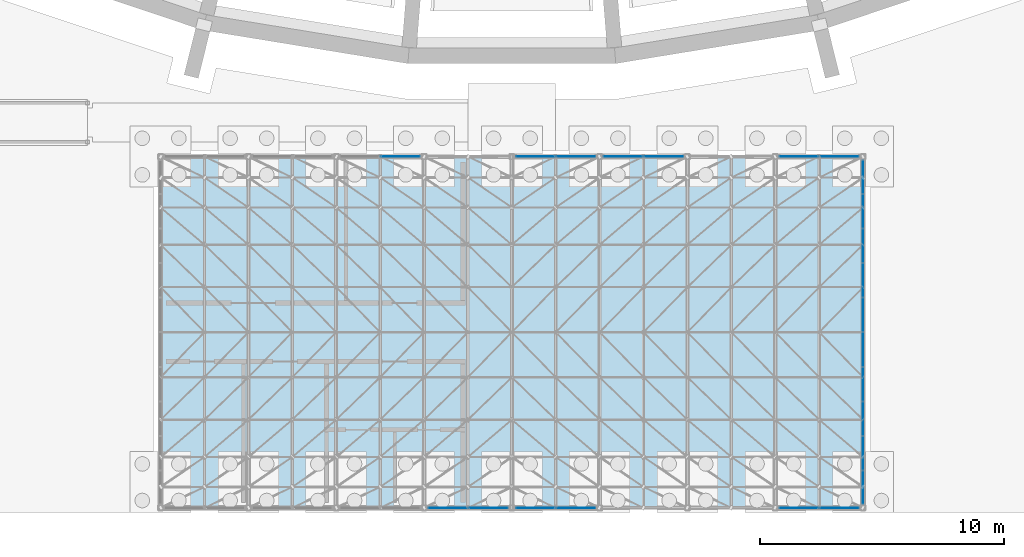
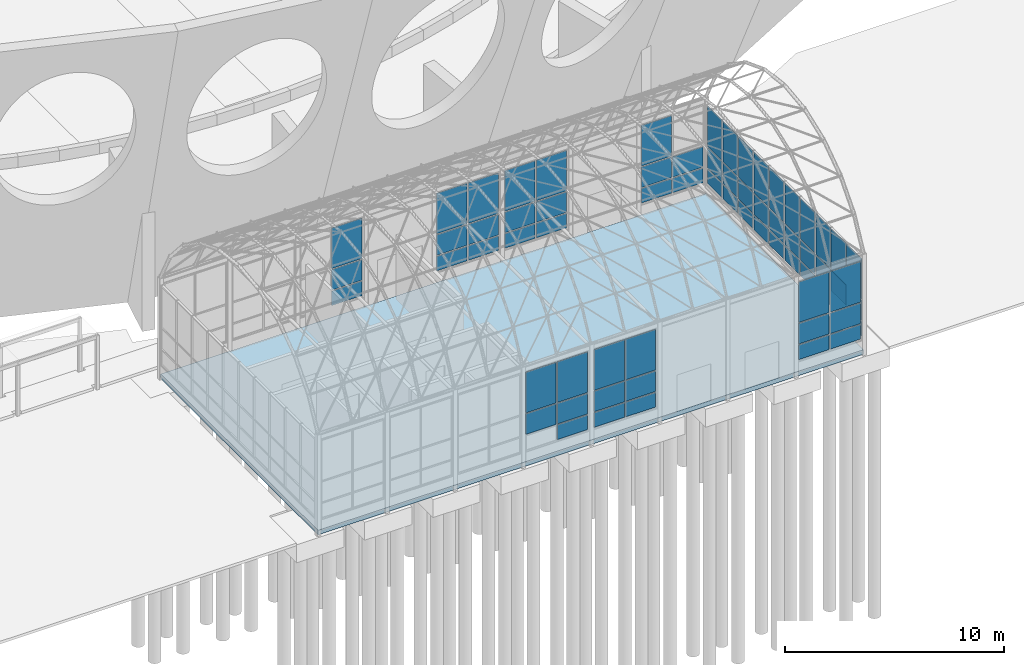
# One storey, part 73 of 116: 67 plates, 1 slab, 8 elements without a shape of their own.
"""IFC4 building model written with IfcOpenShell, lengths in metres."""

from ifc_helpers import new_model, si_unit, direction, frame, origin, origin_2d, place, context, subcontext, project, spatial, polyline, rectangle, outline, extrude, material, layer, layer_set, type_object, element, aggregate, save


model = new_model("IFC4")

# Units and contexts
model_context = context("Model", 3, precision=1e-05, world=origin(), true_north=direction((0.0, 1.0)))
body_context = subcontext(model_context, "Body", "Model", "MODEL_VIEW")
ifc_project = project(units=[si_unit("LENGTHUNIT", "METRE"), si_unit("AREAUNIT", "SQUARE_METRE"), si_unit("VOLUMEUNIT", "CUBIC_METRE"), si_unit("PLANEANGLEUNIT", "RADIAN"), si_unit("MASSUNIT", "GRAM", prefix="KILO")], contexts=[model_context])

# Site, building, storey
site_placement = place(None, origin())
site = spatial("IfcSite", under=ifc_project, at=site_placement, CompositionType="ELEMENT")
building_placement = place(site_placement, origin())
building = spatial("IfcBuilding", under=site, at=building_placement, Name="Ardhachandra Cancer Care Centre", CompositionType="ELEMENT")
storey_placement = place(building_placement, origin())
storey = spatial("IfcBuildingStorey", under=building, at=storey_placement, Name="L00", CompositionType="ELEMENT", Elevation=0.0)

# Curtain wall, plates
ifc_material_1 = material(Name="Aluminium extrusion", Category="aluminium")
ifc_layer_1 = layer(ifc_material_1, 0.14990234375)
ifc_layer_set_1 = layer_set([ifc_layer_1], Name="Aluminium extrusion")
curtain_wall_type = type_object("IfcCurtainWallType", Name="Curtain wall run", PredefinedType="NOTDEFINED", material=ifc_layer_set_1)
curtain_wall_1_placement = place(storey_placement, origin())
curtain_wall_1 = element("IfcCurtainWall", 1, at=curtain_wall_1_placement, inside=storey, type_object=curtain_wall_type, Name="Curtain wall L00 s/0074400_0007200", PredefinedType="NOTDEFINED")
ifc_material_2 = material(Name="Low-iron double-glazed unit")
ifc_layer_2 = layer(ifc_material_2, 0.028076171875)
ifc_layer_set_2 = layer_set([ifc_layer_2], Name="Low-iron double-glazed unit")
plate_type_1 = type_object("IfcPlateType", Name="Curtain wall glazing 28", PredefinedType="CURTAIN_PANEL", material=ifc_layer_set_2)
plate_1_placement = place(storey_placement, frame((77.027587890625, 7.199951171875, 1.5302734375), z_axis=(0.0, 0.0, 1.0), x_axis=(1.0, 0.0, 0.0)))
plate_1 = element("IfcPlate", 2, at=plate_1_placement, type_object=plate_type_1, Name="CW panel 2.2", PredefinedType="CURTAIN_PANEL", context=body_context, shape_type="SweptSolid", body=[
    extrude(rectangle(XDim=1.594970703125, YDim=0.028076171875, at=origin_2d()), origin(), (0.0, 0.0, 1.0), 1.139892578125),
])
plate_2_placement = place(storey_placement, frame((77.027587890625, 7.199951171875, 2.72998046875), z_axis=(0.0, 0.0, 1.0), x_axis=(1.0, 0.0, 0.0)))
plate_2 = element("IfcPlate", 3, at=plate_2_placement, type_object=plate_type_1, Name="CW panel 2.3", PredefinedType="CURTAIN_PANEL", context=body_context, shape_type="SweptSolid", body=[
    extrude(rectangle(XDim=1.594970703125, YDim=0.028076171875, at=origin_2d()), origin(), (0.0, 0.0, 1.0), 2.260009765625),
])

curtain_wall_2_placement = place(storey_placement, origin())
curtain_wall_2 = element("IfcCurtainWall", 4, at=curtain_wall_2_placement, inside=storey, type_object=curtain_wall_type, Name="Curtain wall L00 s/0078000_0007200", PredefinedType="NOTDEFINED")
plate_3_placement = place(storey_placement, frame((78.972412109375, 7.199951171875, 1.5302734375), z_axis=(0.0, 0.0, 1.0), x_axis=(1.0, 0.0, 0.0)))
plate_3 = element("IfcPlate", 5, at=plate_3_placement, type_object=plate_type_1, Name="CW panel 1.2", PredefinedType="CURTAIN_PANEL", context=body_context, shape_type="SweptSolid", body=[
    extrude(rectangle(XDim=1.594970703125, YDim=0.028076171875, at=origin_2d()), origin(), (0.0, 0.0, 1.0), 1.139892578125),
])
plate_4_placement = place(storey_placement, frame((78.972412109375, 7.199951171875, 2.72998046875), z_axis=(0.0, 0.0, 1.0), x_axis=(1.0, 0.0, 0.0)))
plate_4 = element("IfcPlate", 6, at=plate_4_placement, type_object=plate_type_1, Name="CW panel 1.3", PredefinedType="CURTAIN_PANEL", context=body_context, shape_type="SweptSolid", body=[
    extrude(rectangle(XDim=1.594970703125, YDim=0.028076171875, at=origin_2d()), origin(), (0.0, 0.0, 1.0), 2.260009765625),
])
plate_5_placement = place(storey_placement, frame((80.62744140625, 7.199951171875, 1.5302734375), z_axis=(0.0, 0.0, 1.0), x_axis=(1.0, 0.0, 0.0)))
plate_5 = element("IfcPlate", 7, at=plate_5_placement, type_object=plate_type_1, Name="CW panel 2.2", PredefinedType="CURTAIN_PANEL", context=body_context, shape_type="SweptSolid", body=[
    extrude(rectangle(XDim=1.594970703125, YDim=0.028076171875, at=origin_2d()), origin(), (0.0, 0.0, 1.0), 1.139892578125),
])
plate_6_placement = place(storey_placement, frame((80.62744140625, 7.199951171875, 2.72998046875), z_axis=(0.0, 0.0, 1.0), x_axis=(1.0, 0.0, 0.0)))
plate_6 = element("IfcPlate", 8, at=plate_6_placement, type_object=plate_type_1, Name="CW panel 2.3", PredefinedType="CURTAIN_PANEL", context=body_context, shape_type="SweptSolid", body=[
    extrude(rectangle(XDim=1.594970703125, YDim=0.028076171875, at=origin_2d()), origin(), (0.0, 0.0, 1.0), 2.260009765625),
])

curtain_wall_3_placement = place(storey_placement, origin())
curtain_wall_3 = element("IfcCurtainWall", 9, at=curtain_wall_3_placement, inside=storey, type_object=curtain_wall_type, Name="Curtain wall L00 s/0088800_0007200", PredefinedType="NOTDEFINED")
plate_7_placement = place(storey_placement, frame((89.7724609375, 7.199951171875, 1.5302734375), z_axis=(0.0, 0.0, 1.0), x_axis=(1.0, 0.0, 0.0)))
plate_7 = element("IfcPlate", 10, at=plate_7_placement, type_object=plate_type_1, Name="CW panel 1.2", PredefinedType="CURTAIN_PANEL", context=body_context, shape_type="SweptSolid", body=[
    extrude(rectangle(XDim=1.594970703125, YDim=0.028076171875, at=origin_2d()), origin(), (0.0, 0.0, 1.0), 1.139892578125),
])
plate_8_placement = place(storey_placement, frame((89.7724609375, 7.199951171875, 2.72998046875), z_axis=(0.0, 0.0, 1.0), x_axis=(1.0, 0.0, 0.0)))
plate_8 = element("IfcPlate", 11, at=plate_8_placement, type_object=plate_type_1, Name="CW panel 1.3", PredefinedType="CURTAIN_PANEL", context=body_context, shape_type="SweptSolid", body=[
    extrude(rectangle(XDim=1.594970703125, YDim=0.028076171875, at=origin_2d()), origin(), (0.0, 0.0, 1.0), 2.260009765625),
])
plate_9_placement = place(storey_placement, frame((91.427490234375, 7.199951171875, 1.5302734375), z_axis=(0.0, 0.0, 1.0), x_axis=(1.0, 0.0, 0.0)))
plate_9 = element("IfcPlate", 12, at=plate_9_placement, type_object=plate_type_1, Name="CW panel 2.2", PredefinedType="CURTAIN_PANEL", context=body_context, shape_type="SweptSolid", body=[
    extrude(rectangle(XDim=1.594970703125, YDim=0.028076171875, at=origin_2d()), origin(), (0.0, 0.0, 1.0), 1.139892578125),
])
plate_10_placement = place(storey_placement, frame((91.427490234375, 7.199951171875, 2.72998046875), z_axis=(0.0, 0.0, 1.0), x_axis=(1.0, 0.0, 0.0)))
plate_10 = element("IfcPlate", 13, at=plate_10_placement, type_object=plate_type_1, Name="CW panel 2.3", PredefinedType="CURTAIN_PANEL", context=body_context, shape_type="SweptSolid", body=[
    extrude(rectangle(XDim=1.594970703125, YDim=0.028076171875, at=origin_2d()), origin(), (0.0, 0.0, 1.0), 2.260009765625),
])

curtain_wall_4_placement = place(storey_placement, origin())
curtain_wall_4 = element("IfcCurtainWall", 14, at=curtain_wall_4_placement, inside=storey, type_object=curtain_wall_type, Name="Curtain wall L00 n/0070800_0021600", PredefinedType="NOTDEFINED")
plate_11_placement = place(storey_placement, frame((73.427490234375, 21.60009765625, 1.5302734375), z_axis=(0.0, 0.0, 1.0), x_axis=(1.0, 0.0, 0.0)))
plate_11 = element("IfcPlate", 15, at=plate_11_placement, type_object=plate_type_1, Name="CW panel 2.2", PredefinedType="CURTAIN_PANEL", context=body_context, shape_type="SweptSolid", body=[
    extrude(rectangle(XDim=1.594970703125, YDim=0.028076171875, at=origin_2d()), origin(), (0.0, 0.0, 1.0), 1.139892578125),
])
plate_12_placement = place(storey_placement, frame((73.427490234375, 21.60009765625, 2.72998046875), z_axis=(0.0, 0.0, 1.0), x_axis=(1.0, 0.0, 0.0)))
plate_12 = element("IfcPlate", 16, at=plate_12_placement, type_object=plate_type_1, Name="CW panel 2.3", PredefinedType="CURTAIN_PANEL", context=body_context, shape_type="SweptSolid", body=[
    extrude(rectangle(XDim=1.594970703125, YDim=0.028076171875, at=origin_2d()), origin(), (0.0, 0.0, 1.0), 2.260009765625),
])

curtain_wall_5_placement = place(storey_placement, origin())
curtain_wall_5 = element("IfcCurtainWall", 17, at=curtain_wall_5_placement, inside=storey, type_object=curtain_wall_type, Name="Curtain wall L00 n/0078000_0021600", PredefinedType="NOTDEFINED")
plate_13_placement = place(storey_placement, frame((78.972412109375, 21.60009765625, 1.5302734375), z_axis=(0.0, 0.0, 1.0), x_axis=(1.0, 0.0, 0.0)))
plate_13 = element("IfcPlate", 18, at=plate_13_placement, type_object=plate_type_1, Name="CW panel 1.2", PredefinedType="CURTAIN_PANEL", context=body_context, shape_type="SweptSolid", body=[
    extrude(rectangle(XDim=1.594970703125, YDim=0.028076171875, at=origin_2d()), origin(), (0.0, 0.0, 1.0), 1.139892578125),
])
plate_14_placement = place(storey_placement, frame((78.972412109375, 21.60009765625, 2.72998046875), z_axis=(0.0, 0.0, 1.0), x_axis=(1.0, 0.0, 0.0)))
plate_14 = element("IfcPlate", 19, at=plate_14_placement, type_object=plate_type_1, Name="CW panel 1.3", PredefinedType="CURTAIN_PANEL", context=body_context, shape_type="SweptSolid", body=[
    extrude(rectangle(XDim=1.594970703125, YDim=0.028076171875, at=origin_2d()), origin(), (0.0, 0.0, 1.0), 2.260009765625),
])
plate_15_placement = place(storey_placement, frame((80.62744140625, 21.60009765625, 1.5302734375), z_axis=(0.0, 0.0, 1.0), x_axis=(1.0, 0.0, 0.0)))
plate_15 = element("IfcPlate", 20, at=plate_15_placement, type_object=plate_type_1, Name="CW panel 2.2", PredefinedType="CURTAIN_PANEL", context=body_context, shape_type="SweptSolid", body=[
    extrude(rectangle(XDim=1.594970703125, YDim=0.028076171875, at=origin_2d()), origin(), (0.0, 0.0, 1.0), 1.139892578125),
])
plate_16_placement = place(storey_placement, frame((80.62744140625, 21.60009765625, 2.72998046875), z_axis=(0.0, 0.0, 1.0), x_axis=(1.0, 0.0, 0.0)))
plate_16 = element("IfcPlate", 21, at=plate_16_placement, type_object=plate_type_1, Name="CW panel 2.3", PredefinedType="CURTAIN_PANEL", context=body_context, shape_type="SweptSolid", body=[
    extrude(rectangle(XDim=1.594970703125, YDim=0.028076171875, at=origin_2d()), origin(), (0.0, 0.0, 1.0), 2.260009765625),
])

curtain_wall_6_placement = place(storey_placement, origin())
curtain_wall_6 = element("IfcCurtainWall", 22, at=curtain_wall_6_placement, inside=storey, type_object=curtain_wall_type, Name="Curtain wall L00 n/0081600_0021600", PredefinedType="NOTDEFINED")
plate_17_placement = place(storey_placement, frame((82.572509765625, 21.60009765625, 1.5302734375), z_axis=(0.0, 0.0, 1.0), x_axis=(1.0, 0.0, 0.0)))
plate_17 = element("IfcPlate", 23, at=plate_17_placement, type_object=plate_type_1, Name="CW panel 1.2", PredefinedType="CURTAIN_PANEL", context=body_context, shape_type="SweptSolid", body=[
    extrude(rectangle(XDim=1.594970703125, YDim=0.028076171875, at=origin_2d()), origin(), (0.0, 0.0, 1.0), 1.139892578125),
])
plate_18_placement = place(storey_placement, frame((82.572509765625, 21.60009765625, 2.72998046875), z_axis=(0.0, 0.0, 1.0), x_axis=(1.0, 0.0, 0.0)))
plate_18 = element("IfcPlate", 24, at=plate_18_placement, type_object=plate_type_1, Name="CW panel 1.3", PredefinedType="CURTAIN_PANEL", context=body_context, shape_type="SweptSolid", body=[
    extrude(rectangle(XDim=1.594970703125, YDim=0.028076171875, at=origin_2d()), origin(), (0.0, 0.0, 1.0), 2.260009765625),
])
plate_19_placement = place(storey_placement, frame((84.2275390625, 21.60009765625, 1.5302734375), z_axis=(0.0, 0.0, 1.0), x_axis=(1.0, 0.0, 0.0)))
plate_19 = element("IfcPlate", 25, at=plate_19_placement, type_object=plate_type_1, Name="CW panel 2.2", PredefinedType="CURTAIN_PANEL", context=body_context, shape_type="SweptSolid", body=[
    extrude(rectangle(XDim=1.594970703125, YDim=0.028076171875, at=origin_2d()), origin(), (0.0, 0.0, 1.0), 1.139892578125),
])
plate_20_placement = place(storey_placement, frame((84.2275390625, 21.60009765625, 2.72998046875), z_axis=(0.0, 0.0, 1.0), x_axis=(1.0, 0.0, 0.0)))
plate_20 = element("IfcPlate", 26, at=plate_20_placement, type_object=plate_type_1, Name="CW panel 2.3", PredefinedType="CURTAIN_PANEL", context=body_context, shape_type="SweptSolid", body=[
    extrude(rectangle(XDim=1.594970703125, YDim=0.028076171875, at=origin_2d()), origin(), (0.0, 0.0, 1.0), 2.260009765625),
])

curtain_wall_7_placement = place(storey_placement, origin())
curtain_wall_7 = element("IfcCurtainWall", 27, at=curtain_wall_7_placement, inside=storey, type_object=curtain_wall_type, Name="Curtain wall L00 n/0088800_0021600", PredefinedType="NOTDEFINED")
plate_21_placement = place(storey_placement, frame((89.7724609375, 21.60009765625, 1.5302734375), z_axis=(0.0, 0.0, 1.0), x_axis=(1.0, 0.0, 0.0)))
plate_21 = element("IfcPlate", 28, at=plate_21_placement, type_object=plate_type_1, Name="CW panel 1.2", PredefinedType="CURTAIN_PANEL", context=body_context, shape_type="SweptSolid", body=[
    extrude(rectangle(XDim=1.594970703125, YDim=0.028076171875, at=origin_2d()), origin(), (0.0, 0.0, 1.0), 1.139892578125),
])
plate_22_placement = place(storey_placement, frame((89.7724609375, 21.60009765625, 2.72998046875), z_axis=(0.0, 0.0, 1.0), x_axis=(1.0, 0.0, 0.0)))
plate_22 = element("IfcPlate", 29, at=plate_22_placement, type_object=plate_type_1, Name="CW panel 1.3", PredefinedType="CURTAIN_PANEL", context=body_context, shape_type="SweptSolid", body=[
    extrude(rectangle(XDim=1.594970703125, YDim=0.028076171875, at=origin_2d()), origin(), (0.0, 0.0, 1.0), 2.260009765625),
])
plate_23_placement = place(storey_placement, frame((91.427490234375, 21.60009765625, 1.5302734375), z_axis=(0.0, 0.0, 1.0), x_axis=(1.0, 0.0, 0.0)))
plate_23 = element("IfcPlate", 30, at=plate_23_placement, type_object=plate_type_1, Name="CW panel 2.2", PredefinedType="CURTAIN_PANEL", context=body_context, shape_type="SweptSolid", body=[
    extrude(rectangle(XDim=1.594970703125, YDim=0.028076171875, at=origin_2d()), origin(), (0.0, 0.0, 1.0), 1.139892578125),
])

curtain_wall_8_placement = place(storey_placement, origin())
curtain_wall_8 = element("IfcCurtainWall", 31, at=curtain_wall_8_placement, inside=storey, type_object=curtain_wall_type, Name="Curtain wall L00 e/0092400_0007200", PredefinedType="NOTDEFINED")
plate_24_placement = place(storey_placement, frame((92.39990234375, 8.03857421875, 1.5302734375), z_axis=(0.0, 0.0, 1.0), x_axis=(0.0, 1.0, 0.0)))
plate_24 = element("IfcPlate", 32, at=plate_24_placement, type_object=plate_type_1, Name="CW panel 1.2", PredefinedType="CURTAIN_PANEL", context=body_context, shape_type="SweptSolid", body=[
    extrude(rectangle(XDim=1.326904296875, YDim=0.028076171875, at=origin_2d()), origin(), (0.0, 0.0, 1.0), 1.139892578125),
])
plate_25_placement = place(storey_placement, frame((92.39990234375, 8.03857421875, 2.72998046875), z_axis=(0.0, 0.0, 1.0), x_axis=(0.0, 1.0, 0.0)))
plate_25 = element("IfcPlate", 33, at=plate_25_placement, type_object=plate_type_1, Name="CW panel 1.3", PredefinedType="CURTAIN_PANEL", context=body_context, shape_type="SweptSolid", body=[
    extrude(rectangle(XDim=1.326904296875, YDim=0.028076171875, at=origin_2d()), origin(), (0.0, 0.0, 1.0), 2.260009765625),
])
plate_26_placement = place(storey_placement, frame((92.39990234375, 9.4404296875, 1.5302734375), z_axis=(0.0, 0.0, 1.0), x_axis=(0.0, 1.0, 0.0)))
plate_26 = element("IfcPlate", 34, at=plate_26_placement, type_object=plate_type_1, Name="CW panel 2.2", PredefinedType="CURTAIN_PANEL", context=body_context, shape_type="SweptSolid", body=[
    extrude(rectangle(XDim=1.35693359375, YDim=0.028076171875, at=origin_2d()), origin(), (0.0, 0.0, 1.0), 1.139892578125),
])
plate_27_placement = place(storey_placement, frame((92.39990234375, 9.4404296875, 2.72998046875), z_axis=(0.0, 0.0, 1.0), x_axis=(0.0, 1.0, 0.0)))
plate_27 = element("IfcPlate", 35, at=plate_27_placement, type_object=plate_type_1, Name="CW panel 2.3", PredefinedType="CURTAIN_PANEL", context=body_context, shape_type="SweptSolid", body=[
    extrude(rectangle(XDim=1.35693359375, YDim=0.028076171875, at=origin_2d()), origin(), (0.0, 0.0, 1.0), 2.260009765625),
])
plate_28_placement = place(storey_placement, frame((92.39990234375, 10.857421875, 1.5302734375), z_axis=(0.0, 0.0, 1.0), x_axis=(0.0, 1.0, 0.0)))
plate_28 = element("IfcPlate", 36, at=plate_28_placement, type_object=plate_type_1, Name="CW panel 3.2", PredefinedType="CURTAIN_PANEL", context=body_context, shape_type="SweptSolid", body=[
    extrude(rectangle(XDim=1.35693359375, YDim=0.028076171875, at=origin_2d()), origin(), (0.0, 0.0, 1.0), 1.139892578125),
])
plate_29_placement = place(storey_placement, frame((92.39990234375, 10.857421875, 2.72998046875), z_axis=(0.0, 0.0, 1.0), x_axis=(0.0, 1.0, 0.0)))
plate_29 = element("IfcPlate", 37, at=plate_29_placement, type_object=plate_type_1, Name="CW panel 3.3", PredefinedType="CURTAIN_PANEL", context=body_context, shape_type="SweptSolid", body=[
    extrude(rectangle(XDim=1.35693359375, YDim=0.028076171875, at=origin_2d()), origin(), (0.0, 0.0, 1.0), 2.260009765625),
])
plate_30_placement = place(storey_placement, frame((92.39990234375, 12.2744140625, 1.5302734375), z_axis=(0.0, 0.0, 1.0), x_axis=(0.0, 1.0, 0.0)))
plate_30 = element("IfcPlate", 38, at=plate_30_placement, type_object=plate_type_1, Name="CW panel 4.2", PredefinedType="CURTAIN_PANEL", context=body_context, shape_type="SweptSolid", body=[
    extrude(rectangle(XDim=1.35693359375, YDim=0.028076171875, at=origin_2d()), origin(), (0.0, 0.0, 1.0), 1.139892578125),
])
plate_31_placement = place(storey_placement, frame((92.39990234375, 12.2744140625, 2.72998046875), z_axis=(0.0, 0.0, 1.0), x_axis=(0.0, 1.0, 0.0)))
plate_31 = element("IfcPlate", 39, at=plate_31_placement, type_object=plate_type_1, Name="CW panel 4.3", PredefinedType="CURTAIN_PANEL", context=body_context, shape_type="SweptSolid", body=[
    extrude(rectangle(XDim=1.35693359375, YDim=0.028076171875, at=origin_2d()), origin(), (0.0, 0.0, 1.0), 2.260009765625),
])
plate_32_placement = place(storey_placement, frame((92.39990234375, 13.69140625, 1.5302734375), z_axis=(0.0, 0.0, 1.0), x_axis=(0.0, 1.0, 0.0)))
plate_32 = element("IfcPlate", 40, at=plate_32_placement, type_object=plate_type_1, Name="CW panel 5.2", PredefinedType="CURTAIN_PANEL", context=body_context, shape_type="SweptSolid", body=[
    extrude(rectangle(XDim=1.35693359375, YDim=0.028076171875, at=origin_2d()), origin(), (0.0, 0.0, 1.0), 1.139892578125),
])
plate_33_placement = place(storey_placement, frame((92.39990234375, 13.69140625, 2.72998046875), z_axis=(0.0, 0.0, 1.0), x_axis=(0.0, 1.0, 0.0)))
plate_33 = element("IfcPlate", 41, at=plate_33_placement, type_object=plate_type_1, Name="CW panel 5.3", PredefinedType="CURTAIN_PANEL", context=body_context, shape_type="SweptSolid", body=[
    extrude(rectangle(XDim=1.35693359375, YDim=0.028076171875, at=origin_2d()), origin(), (0.0, 0.0, 1.0), 2.260009765625),
])
plate_34_placement = place(storey_placement, frame((92.39990234375, 15.1083984375, 1.5302734375), z_axis=(0.0, 0.0, 1.0), x_axis=(0.0, 1.0, 0.0)))
plate_34 = element("IfcPlate", 42, at=plate_34_placement, type_object=plate_type_1, Name="CW panel 6.2", PredefinedType="CURTAIN_PANEL", context=body_context, shape_type="SweptSolid", body=[
    extrude(rectangle(XDim=1.35693359375, YDim=0.028076171875, at=origin_2d()), origin(), (0.0, 0.0, 1.0), 1.139892578125),
])
plate_35_placement = place(storey_placement, frame((92.39990234375, 15.1083984375, 2.72998046875), z_axis=(0.0, 0.0, 1.0), x_axis=(0.0, 1.0, 0.0)))
plate_35 = element("IfcPlate", 43, at=plate_35_placement, type_object=plate_type_1, Name="CW panel 6.3", PredefinedType="CURTAIN_PANEL", context=body_context, shape_type="SweptSolid", body=[
    extrude(rectangle(XDim=1.35693359375, YDim=0.028076171875, at=origin_2d()), origin(), (0.0, 0.0, 1.0), 2.260009765625),
])
plate_36_placement = place(storey_placement, frame((92.39990234375, 16.525390625, 1.5302734375), z_axis=(0.0, 0.0, 1.0), x_axis=(0.0, 1.0, 0.0)))
plate_36 = element("IfcPlate", 44, at=plate_36_placement, type_object=plate_type_1, Name="CW panel 7.2", PredefinedType="CURTAIN_PANEL", context=body_context, shape_type="SweptSolid", body=[
    extrude(rectangle(XDim=1.35693359375, YDim=0.028076171875, at=origin_2d()), origin(), (0.0, 0.0, 1.0), 1.139892578125),
])
plate_37_placement = place(storey_placement, frame((92.39990234375, 16.525390625, 2.72998046875), z_axis=(0.0, 0.0, 1.0), x_axis=(0.0, 1.0, 0.0)))
plate_37 = element("IfcPlate", 45, at=plate_37_placement, type_object=plate_type_1, Name="CW panel 7.3", PredefinedType="CURTAIN_PANEL", context=body_context, shape_type="SweptSolid", body=[
    extrude(rectangle(XDim=1.35693359375, YDim=0.028076171875, at=origin_2d()), origin(), (0.0, 0.0, 1.0), 2.260009765625),
])
plate_38_placement = place(storey_placement, frame((92.39990234375, 17.9423828125, 1.5302734375), z_axis=(0.0, 0.0, 1.0), x_axis=(0.0, 1.0, 0.0)))
plate_38 = element("IfcPlate", 46, at=plate_38_placement, type_object=plate_type_1, Name="CW panel 8.2", PredefinedType="CURTAIN_PANEL", context=body_context, shape_type="SweptSolid", body=[
    extrude(rectangle(XDim=1.35693359375, YDim=0.028076171875, at=origin_2d()), origin(), (0.0, 0.0, 1.0), 1.139892578125),
])
plate_39_placement = place(storey_placement, frame((92.39990234375, 17.9423828125, 2.72998046875), z_axis=(0.0, 0.0, 1.0), x_axis=(0.0, 1.0, 0.0)))
plate_39 = element("IfcPlate", 47, at=plate_39_placement, type_object=plate_type_1, Name="CW panel 8.3", PredefinedType="CURTAIN_PANEL", context=body_context, shape_type="SweptSolid", body=[
    extrude(rectangle(XDim=1.35693359375, YDim=0.028076171875, at=origin_2d()), origin(), (0.0, 0.0, 1.0), 2.260009765625),
])
plate_40_placement = place(storey_placement, frame((92.39990234375, 19.359619140625, 1.5302734375), z_axis=(0.0, 0.0, 1.0), x_axis=(0.0, 1.0, 0.0)))
plate_40 = element("IfcPlate", 48, at=plate_40_placement, type_object=plate_type_1, Name="CW panel 9.2", PredefinedType="CURTAIN_PANEL", context=body_context, shape_type="SweptSolid", body=[
    extrude(rectangle(XDim=1.35693359375, YDim=0.028076171875, at=origin_2d()), origin(), (0.0, 0.0, 1.0), 1.139892578125),
])
plate_41_placement = place(storey_placement, frame((92.39990234375, 19.359619140625, 2.72998046875), z_axis=(0.0, 0.0, 1.0), x_axis=(0.0, 1.0, 0.0)))
plate_41 = element("IfcPlate", 49, at=plate_41_placement, type_object=plate_type_1, Name="CW panel 9.3", PredefinedType="CURTAIN_PANEL", context=body_context, shape_type="SweptSolid", body=[
    extrude(rectangle(XDim=1.35693359375, YDim=0.028076171875, at=origin_2d()), origin(), (0.0, 0.0, 1.0), 2.260009765625),
])
plate_42_placement = place(storey_placement, frame((92.39990234375, 20.761474609375, 1.5302734375), z_axis=(0.0, 0.0, 1.0), x_axis=(0.0, 1.0, 0.0)))
plate_42 = element("IfcPlate", 50, at=plate_42_placement, type_object=plate_type_1, Name="CW panel 10.2", PredefinedType="CURTAIN_PANEL", context=body_context, shape_type="SweptSolid", body=[
    extrude(rectangle(XDim=1.326904296875, YDim=0.028076171875, at=origin_2d()), origin(), (0.0, 0.0, 1.0), 1.139892578125),
])
plate_43_placement = place(storey_placement, frame((92.39990234375, 20.761474609375, 2.72998046875), z_axis=(0.0, 0.0, 1.0), x_axis=(0.0, 1.0, 0.0)))
plate_43 = element("IfcPlate", 51, at=plate_43_placement, type_object=plate_type_1, Name="CW panel 10.3", PredefinedType="CURTAIN_PANEL", context=body_context, shape_type="SweptSolid", body=[
    extrude(rectangle(XDim=1.326904296875, YDim=0.028076171875, at=origin_2d()), origin(), (0.0, 0.0, 1.0), 2.260009765625),
])

# Plate
ifc_material_3 = material(Name="Aluminium composite spandrel panel", Category="aluminium")
ifc_layer_3 = layer(ifc_material_3, 0.028076171875)
ifc_layer_set_3 = layer_set([ifc_layer_3], Name="Aluminium composite spandrel panel")
plate_type_2 = type_object("IfcPlateType", Name="Curtain wall spandrel panel 28", PredefinedType="CURTAIN_PANEL", material=ifc_layer_set_3)
plate_44_placement = place(storey_placement, frame((75.37255859375, 7.199951171875, 1.5302734375), z_axis=(0.0, 0.0, 1.0), x_axis=(1.0, 0.0, 0.0)))
plate_44 = element("IfcPlate", 52, at=plate_44_placement, type_object=plate_type_2, Name="CW panel 1.2", PredefinedType="CURTAIN_PANEL", context=body_context, shape_type="SweptSolid", body=[
    extrude(rectangle(XDim=1.594970703125, YDim=0.028076171875, at=origin_2d()), origin(), (0.0, 0.0, 1.0), 1.139892578125),
])

plate_45_placement = place(storey_placement, frame((75.37255859375, 7.199951171875, 2.72998046875), z_axis=(0.0, 0.0, 1.0), x_axis=(1.0, 0.0, 0.0)))
plate_45 = element("IfcPlate", 53, at=plate_45_placement, type_object=plate_type_2, Name="CW panel 1.3", PredefinedType="CURTAIN_PANEL", context=body_context, shape_type="SweptSolid", body=[
    extrude(rectangle(XDim=1.594970703125, YDim=0.028076171875, at=origin_2d()), origin(), (0.0, 0.0, 1.0), 2.260009765625),
])

plate_46_placement = place(storey_placement, frame((77.027587890625, 7.199951171875, 0.659912109375), z_axis=(0.0, 0.0, 1.0), x_axis=(1.0, 0.0, 0.0)))
plate_46 = element("IfcPlate", 54, at=plate_46_placement, type_object=plate_type_2, Name="CW panel 2.1", PredefinedType="CURTAIN_PANEL", context=body_context, shape_type="SweptSolid", body=[
    extrude(rectangle(XDim=1.594970703125, YDim=0.028076171875, at=origin_2d()), origin(), (0.0, 0.0, 1.0), 0.81005859375),
])

aggregate(curtain_wall_1, [plate_44, plate_45, plate_46, plate_1, plate_2])

plate_47_placement = place(storey_placement, frame((78.972412109375, 7.199951171875, 0.659912109375), z_axis=(0.0, 0.0, 1.0), x_axis=(1.0, 0.0, 0.0)))
plate_47 = element("IfcPlate", 55, at=plate_47_placement, type_object=plate_type_2, Name="CW panel 1.1", PredefinedType="CURTAIN_PANEL", context=body_context, shape_type="SweptSolid", body=[
    extrude(rectangle(XDim=1.594970703125, YDim=0.028076171875, at=origin_2d()), origin(), (0.0, 0.0, 1.0), 0.81005859375),
])

plate_48_placement = place(storey_placement, frame((80.62744140625, 7.199951171875, 0.659912109375), z_axis=(0.0, 0.0, 1.0), x_axis=(1.0, 0.0, 0.0)))
plate_48 = element("IfcPlate", 56, at=plate_48_placement, type_object=plate_type_2, Name="CW panel 2.1", PredefinedType="CURTAIN_PANEL", context=body_context, shape_type="SweptSolid", body=[
    extrude(rectangle(XDim=1.594970703125, YDim=0.028076171875, at=origin_2d()), origin(), (0.0, 0.0, 1.0), 0.81005859375),
])

aggregate(curtain_wall_2, [plate_47, plate_3, plate_4, plate_48, plate_5, plate_6])

plate_49_placement = place(storey_placement, frame((89.7724609375, 7.199951171875, 0.659912109375), z_axis=(0.0, 0.0, 1.0), x_axis=(1.0, 0.0, 0.0)))
plate_49 = element("IfcPlate", 57, at=plate_49_placement, type_object=plate_type_2, Name="CW panel 1.1", PredefinedType="CURTAIN_PANEL", context=body_context, shape_type="SweptSolid", body=[
    extrude(rectangle(XDim=1.594970703125, YDim=0.028076171875, at=origin_2d()), origin(), (0.0, 0.0, 1.0), 0.81005859375),
])

plate_50_placement = place(storey_placement, frame((91.427490234375, 7.199951171875, 0.659912109375), z_axis=(0.0, 0.0, 1.0), x_axis=(1.0, 0.0, 0.0)))
plate_50 = element("IfcPlate", 58, at=plate_50_placement, type_object=plate_type_2, Name="CW panel 2.1", PredefinedType="CURTAIN_PANEL", context=body_context, shape_type="SweptSolid", body=[
    extrude(rectangle(XDim=1.594970703125, YDim=0.028076171875, at=origin_2d()), origin(), (0.0, 0.0, 1.0), 0.81005859375),
])

aggregate(curtain_wall_3, [plate_49, plate_7, plate_8, plate_50, plate_9, plate_10])

plate_51_placement = place(storey_placement, frame((73.427490234375, 21.60009765625, 0.659912109375), z_axis=(0.0, 0.0, 1.0), x_axis=(1.0, 0.0, 0.0)))
plate_51 = element("IfcPlate", 59, at=plate_51_placement, type_object=plate_type_2, Name="CW panel 2.1", PredefinedType="CURTAIN_PANEL", context=body_context, shape_type="SweptSolid", body=[
    extrude(rectangle(XDim=1.594970703125, YDim=0.028076171875, at=origin_2d()), origin(), (0.0, 0.0, 1.0), 0.81005859375),
])

aggregate(curtain_wall_4, [plate_51, plate_11, plate_12])

plate_52_placement = place(storey_placement, frame((78.972412109375, 21.60009765625, 0.659912109375), z_axis=(0.0, 0.0, 1.0), x_axis=(1.0, 0.0, 0.0)))
plate_52 = element("IfcPlate", 60, at=plate_52_placement, type_object=plate_type_2, Name="CW panel 1.1", PredefinedType="CURTAIN_PANEL", context=body_context, shape_type="SweptSolid", body=[
    extrude(rectangle(XDim=1.594970703125, YDim=0.028076171875, at=origin_2d()), origin(), (0.0, 0.0, 1.0), 0.81005859375),
])

plate_53_placement = place(storey_placement, frame((80.62744140625, 21.60009765625, 0.659912109375), z_axis=(0.0, 0.0, 1.0), x_axis=(1.0, 0.0, 0.0)))
plate_53 = element("IfcPlate", 61, at=plate_53_placement, type_object=plate_type_2, Name="CW panel 2.1", PredefinedType="CURTAIN_PANEL", context=body_context, shape_type="SweptSolid", body=[
    extrude(rectangle(XDim=1.594970703125, YDim=0.028076171875, at=origin_2d()), origin(), (0.0, 0.0, 1.0), 0.81005859375),
])

aggregate(curtain_wall_5, [plate_52, plate_13, plate_14, plate_53, plate_15, plate_16])

plate_54_placement = place(storey_placement, frame((82.572509765625, 21.60009765625, 0.659912109375), z_axis=(0.0, 0.0, 1.0), x_axis=(1.0, 0.0, 0.0)))
plate_54 = element("IfcPlate", 62, at=plate_54_placement, type_object=plate_type_2, Name="CW panel 1.1", PredefinedType="CURTAIN_PANEL", context=body_context, shape_type="SweptSolid", body=[
    extrude(rectangle(XDim=1.594970703125, YDim=0.028076171875, at=origin_2d()), origin(), (0.0, 0.0, 1.0), 0.81005859375),
])

plate_55_placement = place(storey_placement, frame((84.2275390625, 21.60009765625, 0.659912109375), z_axis=(0.0, 0.0, 1.0), x_axis=(1.0, 0.0, 0.0)))
plate_55 = element("IfcPlate", 63, at=plate_55_placement, type_object=plate_type_2, Name="CW panel 2.1", PredefinedType="CURTAIN_PANEL", context=body_context, shape_type="SweptSolid", body=[
    extrude(rectangle(XDim=1.594970703125, YDim=0.028076171875, at=origin_2d()), origin(), (0.0, 0.0, 1.0), 0.81005859375),
])

aggregate(curtain_wall_6, [plate_54, plate_17, plate_18, plate_55, plate_19, plate_20])

plate_56_placement = place(storey_placement, frame((89.7724609375, 21.60009765625, 0.659912109375), z_axis=(0.0, 0.0, 1.0), x_axis=(1.0, 0.0, 0.0)))
plate_56 = element("IfcPlate", 64, at=plate_56_placement, type_object=plate_type_2, Name="CW panel 1.1", PredefinedType="CURTAIN_PANEL", context=body_context, shape_type="SweptSolid", body=[
    extrude(rectangle(XDim=1.594970703125, YDim=0.028076171875, at=origin_2d()), origin(), (0.0, 0.0, 1.0), 0.81005859375),
])

plate_57_placement = place(storey_placement, frame((91.427490234375, 21.60009765625, 0.659912109375), z_axis=(0.0, 0.0, 1.0), x_axis=(1.0, 0.0, 0.0)))
plate_57 = element("IfcPlate", 65, at=plate_57_placement, type_object=plate_type_2, Name="CW panel 2.1", PredefinedType="CURTAIN_PANEL", context=body_context, shape_type="SweptSolid", body=[
    extrude(rectangle(XDim=1.594970703125, YDim=0.028076171875, at=origin_2d()), origin(), (0.0, 0.0, 1.0), 0.81005859375),
])

aggregate(curtain_wall_7, [plate_56, plate_21, plate_22, plate_57, plate_23])

plate_58_placement = place(storey_placement, frame((92.39990234375, 8.03857421875, 0.659912109375), z_axis=(0.0, 0.0, 1.0), x_axis=(0.0, 1.0, 0.0)))
plate_58 = element("IfcPlate", 66, at=plate_58_placement, type_object=plate_type_2, Name="CW panel 1.1", PredefinedType="CURTAIN_PANEL", context=body_context, shape_type="SweptSolid", body=[
    extrude(rectangle(XDim=1.326904296875, YDim=0.028076171875, at=origin_2d()), origin(), (0.0, 0.0, 1.0), 0.81005859375),
])

plate_59_placement = place(storey_placement, frame((92.39990234375, 9.4404296875, 0.659912109375), z_axis=(0.0, 0.0, 1.0), x_axis=(0.0, 1.0, 0.0)))
plate_59 = element("IfcPlate", 67, at=plate_59_placement, type_object=plate_type_2, Name="CW panel 2.1", PredefinedType="CURTAIN_PANEL", context=body_context, shape_type="SweptSolid", body=[
    extrude(rectangle(XDim=1.35693359375, YDim=0.028076171875, at=origin_2d()), origin(), (0.0, 0.0, 1.0), 0.81005859375),
])

plate_60_placement = place(storey_placement, frame((92.39990234375, 10.857421875, 0.659912109375), z_axis=(0.0, 0.0, 1.0), x_axis=(0.0, 1.0, 0.0)))
plate_60 = element("IfcPlate", 68, at=plate_60_placement, type_object=plate_type_2, Name="CW panel 3.1", PredefinedType="CURTAIN_PANEL", context=body_context, shape_type="SweptSolid", body=[
    extrude(rectangle(XDim=1.35693359375, YDim=0.028076171875, at=origin_2d()), origin(), (0.0, 0.0, 1.0), 0.81005859375),
])

plate_61_placement = place(storey_placement, frame((92.39990234375, 12.2744140625, 0.659912109375), z_axis=(0.0, 0.0, 1.0), x_axis=(0.0, 1.0, 0.0)))
plate_61 = element("IfcPlate", 69, at=plate_61_placement, type_object=plate_type_2, Name="CW panel 4.1", PredefinedType="CURTAIN_PANEL", context=body_context, shape_type="SweptSolid", body=[
    extrude(rectangle(XDim=1.35693359375, YDim=0.028076171875, at=origin_2d()), origin(), (0.0, 0.0, 1.0), 0.81005859375),
])

plate_62_placement = place(storey_placement, frame((92.39990234375, 13.69140625, 0.659912109375), z_axis=(0.0, 0.0, 1.0), x_axis=(0.0, 1.0, 0.0)))
plate_62 = element("IfcPlate", 70, at=plate_62_placement, type_object=plate_type_2, Name="CW panel 5.1", PredefinedType="CURTAIN_PANEL", context=body_context, shape_type="SweptSolid", body=[
    extrude(rectangle(XDim=1.35693359375, YDim=0.028076171875, at=origin_2d()), origin(), (0.0, 0.0, 1.0), 0.81005859375),
])

plate_63_placement = place(storey_placement, frame((92.39990234375, 15.1083984375, 0.659912109375), z_axis=(0.0, 0.0, 1.0), x_axis=(0.0, 1.0, 0.0)))
plate_63 = element("IfcPlate", 71, at=plate_63_placement, type_object=plate_type_2, Name="CW panel 6.1", PredefinedType="CURTAIN_PANEL", context=body_context, shape_type="SweptSolid", body=[
    extrude(rectangle(XDim=1.35693359375, YDim=0.028076171875, at=origin_2d()), origin(), (0.0, 0.0, 1.0), 0.81005859375),
])

plate_64_placement = place(storey_placement, frame((92.39990234375, 16.525390625, 0.659912109375), z_axis=(0.0, 0.0, 1.0), x_axis=(0.0, 1.0, 0.0)))
plate_64 = element("IfcPlate", 72, at=plate_64_placement, type_object=plate_type_2, Name="CW panel 7.1", PredefinedType="CURTAIN_PANEL", context=body_context, shape_type="SweptSolid", body=[
    extrude(rectangle(XDim=1.35693359375, YDim=0.028076171875, at=origin_2d()), origin(), (0.0, 0.0, 1.0), 0.81005859375),
])

plate_65_placement = place(storey_placement, frame((92.39990234375, 17.9423828125, 0.659912109375), z_axis=(0.0, 0.0, 1.0), x_axis=(0.0, 1.0, 0.0)))
plate_65 = element("IfcPlate", 73, at=plate_65_placement, type_object=plate_type_2, Name="CW panel 8.1", PredefinedType="CURTAIN_PANEL", context=body_context, shape_type="SweptSolid", body=[
    extrude(rectangle(XDim=1.35693359375, YDim=0.028076171875, at=origin_2d()), origin(), (0.0, 0.0, 1.0), 0.81005859375),
])

plate_66_placement = place(storey_placement, frame((92.39990234375, 19.359619140625, 0.659912109375), z_axis=(0.0, 0.0, 1.0), x_axis=(0.0, 1.0, 0.0)))
plate_66 = element("IfcPlate", 74, at=plate_66_placement, type_object=plate_type_2, Name="CW panel 9.1", PredefinedType="CURTAIN_PANEL", context=body_context, shape_type="SweptSolid", body=[
    extrude(rectangle(XDim=1.35693359375, YDim=0.028076171875, at=origin_2d()), origin(), (0.0, 0.0, 1.0), 0.81005859375),
])

plate_67_placement = place(storey_placement, frame((92.39990234375, 20.761474609375, 0.659912109375), z_axis=(0.0, 0.0, 1.0), x_axis=(0.0, 1.0, 0.0)))
plate_67 = element("IfcPlate", 75, at=plate_67_placement, type_object=plate_type_2, Name="CW panel 10.1", PredefinedType="CURTAIN_PANEL", context=body_context, shape_type="SweptSolid", body=[
    extrude(rectangle(XDim=1.326904296875, YDim=0.028076171875, at=origin_2d()), origin(), (0.0, 0.0, 1.0), 0.81005859375),
])

aggregate(curtain_wall_8, [plate_58, plate_24, plate_25, plate_59, plate_26, plate_27, plate_60, plate_28, plate_29, plate_61, plate_30, plate_31, plate_62, plate_32, plate_33, plate_63, plate_34, plate_35, plate_64, plate_36, plate_37, plate_65, plate_38, plate_39, plate_66, plate_40, plate_41, plate_67, plate_42, plate_43])

# Slab
ifc_material_4 = material(Name="Concrete M40", Category="concrete")
ifc_layer_4 = layer(ifc_material_4, 0.25)
ifc_layer_set_4 = layer_set([ifc_layer_4], Name="Concrete M40")
slab_type = type_object("IfcSlabType", Name="Ground slab 250", PredefinedType="BASESLAB", material=ifc_layer_set_4)
slab_placement = place(storey_placement, frame((0.0, 0.0, -0.25)))
element("IfcSlab", 76, at=slab_placement, inside=storey, type_object=slab_type, Name="Pavilion ground slab", PredefinedType="BASESLAB", context=body_context, shape_type="SweptSolid", body=[
    extrude(outline(polyline([(63.60009765625, 7.199951171875), (92.39990234375, 7.199951171875), (92.39990234375, 21.60009765625), (63.60009765625, 21.60009765625), (63.60009765625, 7.199951171875)])), origin(), (0.0, 0.0, 1.0), 0.25),
])

save(model, "model.ifc")
